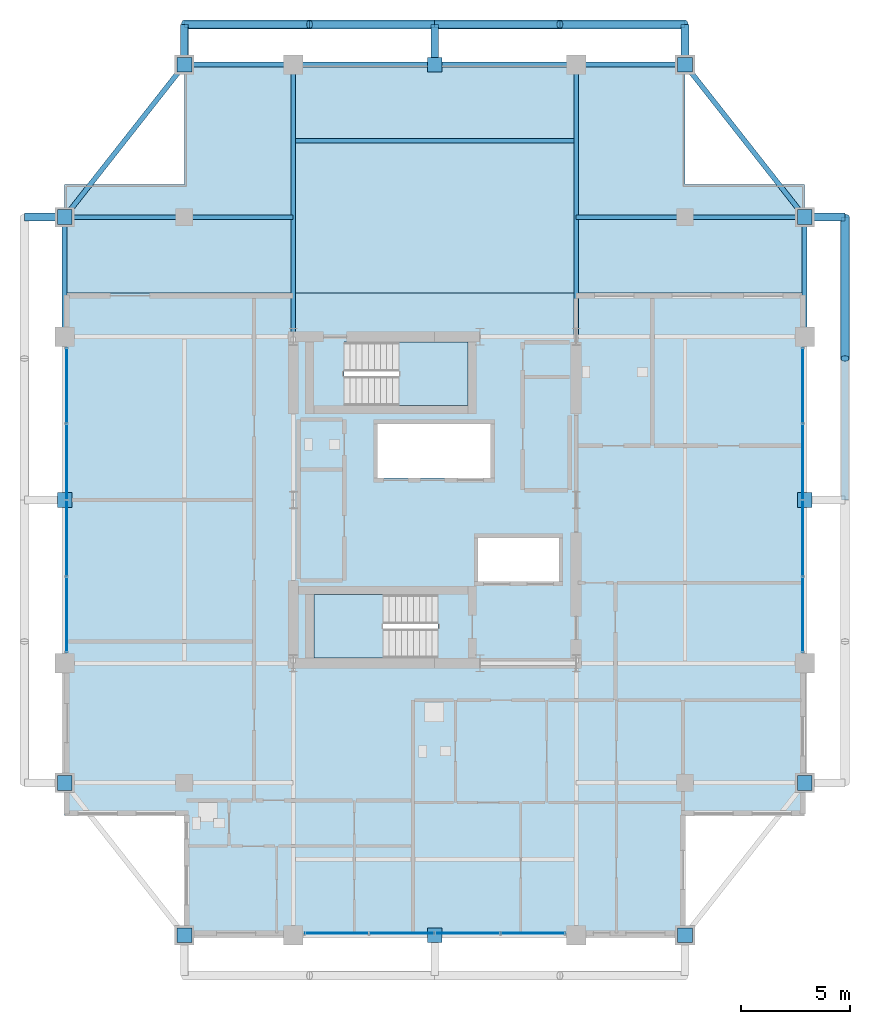
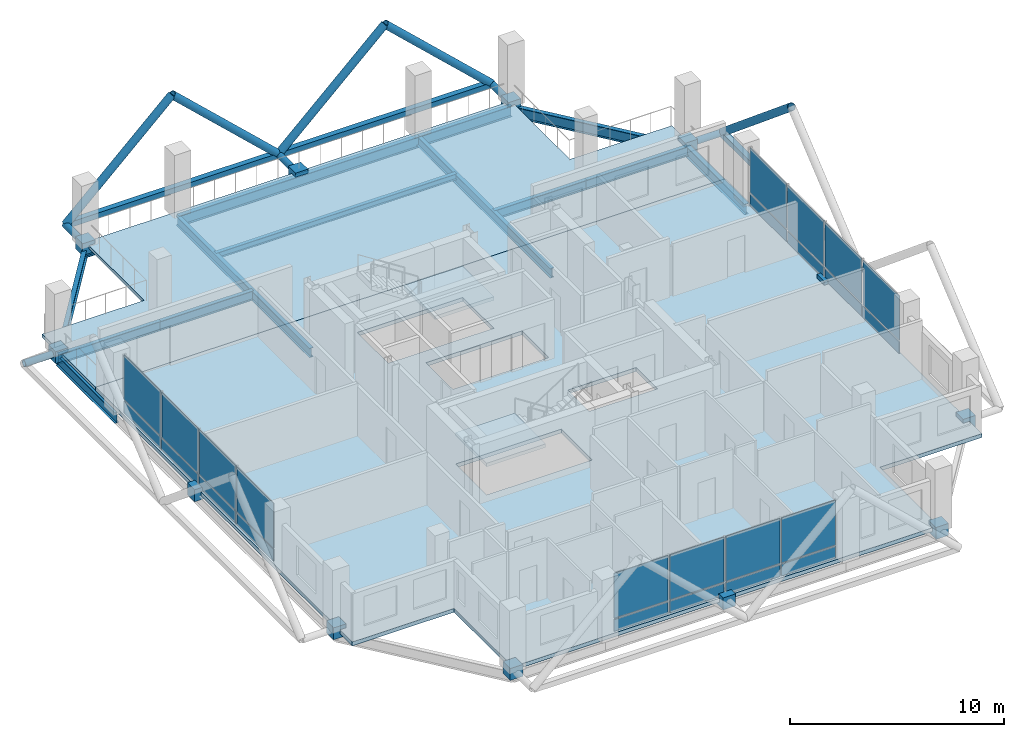
# One storey, part 14 of 21: 36 plates, 14 beams, 13 members, 4 slabs, 5 elements without a shape of their own.
"""IFC4 building model written with IfcOpenShell, lengths in metres."""

from ifc_helpers import new_model, si_unit, direction, frame, origin, origin_2d, place, context, subcontext, project, spatial, polyline, rectangle, hollow_rectangle, hollow_circle, i_section, outline, extrude, material, layer, layer_set, material_profile, profile_set, type_object, element, aggregate, save


model = new_model("IFC4")

# Units and contexts
model_context = context("Model", 3, precision=1e-05, world=origin(), true_north=direction((0.0, 1.0)))
body_context = subcontext(model_context, "Body", "Model", "MODEL_VIEW")
ifc_project = project(units=[si_unit("LENGTHUNIT", "METRE"), si_unit("AREAUNIT", "SQUARE_METRE"), si_unit("VOLUMEUNIT", "CUBIC_METRE"), si_unit("PLANEANGLEUNIT", "RADIAN"), si_unit("MASSUNIT", "GRAM", prefix="KILO")], contexts=[model_context])

# Site, building, storey
site_placement = place(None, origin())
site = spatial("IfcSite", under=ifc_project, at=site_placement, CompositionType="ELEMENT")
building_placement = place(site_placement, origin())
building = spatial("IfcBuilding", under=site, at=building_placement, Name="Barlavira Tower and Art Museum", CompositionType="ELEMENT")
storey_placement = place(building_placement, frame((0.0, 0.0, 261.89990234375)))
storey = spatial("IfcBuildingStorey", under=building, at=storey_placement, Name="L68", CompositionType="ELEMENT", Elevation=261.89990234375)

# Members
ifc_material_1 = material(Name="Steel S355", Category="steel")
ifc_material_profile_1 = material_profile(ifc_material_1, hollow_circle(Radius=0.203125, WallThickness=0.01611328125, at=origin_2d()), Name="CHS 406.4x16.0")
ifc_profile_set_1 = profile_set([ifc_material_profile_1], Name="Steel S355")
member_type_1 = type_object("IfcMemberType", Name="Pale-Metal Exoskeleton Diagrid Tube CHS 406x16 Steel S355", PredefinedType="BRACE", material=ifc_profile_set_1)
for number, where, z_axis, x_axis, name in (
    (1, (-11.5, 21.85009765625, -0.119873046875), (0.728950095515, 0.0, 0.684566839869), (0.0, 1.0, 0.0), "L68 Exoskeleton Diagrid Tube N"),
    (2, (0.0, 21.85009765625, -0.119873046875), (-0.728950095515, 0.0, 0.684566839869), (0.0, -1.0, 0.0), "L68 Exoskeleton Diagrid Tube N"),
    (3, (0.0, 21.85009765625, -0.119873046875), (0.728950095515, 0.0, 0.684566839869), (0.0, 1.0, 0.0), "L68 Exoskeleton Diagrid Tube N"),
    (4, (11.5, 21.85009765625, -0.119873046875), (-0.728950095515, 0.0, 0.684566839869), (0.0, -1.0, 0.0), "L68 Exoskeleton Diagrid Tube N"),
):
    element("IfcMember", number, at=place(storey_placement, frame(where, z_axis=z_axis, x_axis=x_axis)), inside=storey, type_object=member_type_1, Name=name, PredefinedType="BRACE", context=body_context, shape_type="SweptSolid", body=[
        extrude(hollow_circle(Radius=0.203125, WallThickness=0.01611328125, at=origin_2d()), origin(), (0.0, 0.0, 1.0), 7.887939453125),
    ])
member_1_placement = place(storey_placement, frame((18.85009765625, 13.0, -0.119873046875), z_axis=(0.0, -0.769196053329, 0.639012857104), x_axis=(1.0, 0.0, 0.0)))
element("IfcMember", 5, at=member_1_placement, inside=storey, type_object=member_type_1, Name="L68 Exoskeleton Diagrid Tube E", PredefinedType="BRACE", context=body_context, shape_type="SweptSolid", body=[
    extrude(hollow_circle(Radius=0.203125, WallThickness=0.01611328125, at=origin_2d()), origin(), (0.0, 0.0, 1.0), 8.450439453125),
])
ifc_material_profile_2 = material_profile(ifc_material_1, hollow_circle(Radius=0.177734375, WallThickness=0.01611328125, at=origin_2d()), Name="CHS 355.6x16.0")
ifc_profile_set_2 = profile_set([ifc_material_profile_2], Name="Steel S355")
member_type_2 = type_object("IfcMemberType", Name="Pale-Metal Exoskeleton Tie Strut CHS 356x16 Steel S355", PredefinedType="STRUT", material=ifc_profile_set_2)
for number, where, z_axis, x_axis, name in (
    (6, (-11.5, 21.85009765625, -0.119873046875), (0.0, -1.0, 0.0), (1.0, 0.0, 0.0), "L68 Exoskeleton Tie Strut N1"),
    (7, (0.0, 21.85009765625, -0.119873046875), (0.0, -1.0, 0.0), (1.0, 0.0, 0.0), "L68 Exoskeleton Tie Strut N2"),
    (8, (11.5, 21.85009765625, -0.119873046875), (0.0, -1.0, 0.0), (1.0, 0.0, 0.0), "L68 Exoskeleton Tie Strut N3"),
    (9, (-18.85009765625, 13.0, -0.119873046875), (1.0, 0.0, 0.0), (0.0, 1.0, 0.0), "L68 Exoskeleton Tie Strut W3"),
    (10, (18.85009765625, 13.0, -0.119873046875), (-1.0, 0.0, 0.0), (0.0, -1.0, 0.0), "L68 Exoskeleton Tie Strut E3"),
):
    element("IfcMember", number, at=place(storey_placement, frame(where, z_axis=z_axis, x_axis=x_axis)), inside=storey, type_object=member_type_2, Name=name, PredefinedType="STRUT", context=body_context, shape_type="SweptSolid", body=[
        extrude(hollow_circle(Radius=0.177734375, WallThickness=0.01611328125, at=origin_2d()), origin(), (0.0, 0.0, 1.0), 1.85009765625),
    ])
ifc_material_profile_3 = material_profile(ifc_material_1, hollow_rectangle(XDim=0.300048828125, YDim=0.300048828125, WallThickness=0.01611328125, at=origin_2d()), Name="SHS 300x300x16.0")
ifc_profile_set_3 = profile_set([ifc_material_profile_3], Name="Steel S355")
member_type_3 = type_object("IfcMemberType", Name="Pale-Metal Upper Ring Strut SHS 300x300x16 Steel S355", PredefinedType="STRUT", material=ifc_profile_set_3)
for number, where, z_axis, x_axis, name in (
    (11, (-11.5, 21.85009765625, -0.119873046875), (1.0, 0.0, 0.0), (0.0, 1.0, 0.0), "L68 Exoskeleton Ring Strut N"),
    (12, (0.0, 21.85009765625, -0.119873046875), (1.0, 0.0, 0.0), (0.0, 1.0, 0.0), "L68 Exoskeleton Ring Strut N"),
):
    element("IfcMember", number, at=place(storey_placement, frame(where, z_axis=z_axis, x_axis=x_axis)), inside=storey, type_object=member_type_3, Name=name, PredefinedType="STRUT", context=body_context, shape_type="SweptSolid", body=[
        extrude(hollow_rectangle(XDim=0.300048828125, YDim=0.300048828125, WallThickness=0.01611328125, at=origin_2d()), origin(), (0.0, 0.0, 1.0), 11.5),
    ])
member_2_placement = place(storey_placement, frame((18.85009765625, 0.0, -0.119873046875), z_axis=(0.0, 1.0, 0.0), x_axis=(-1.0, 0.0, 0.0)))
element("IfcMember", 13, at=member_2_placement, inside=storey, type_object=member_type_3, Name="L68 Exoskeleton Ring Strut E", PredefinedType="STRUT", context=body_context, shape_type="SweptSolid", body=[
    extrude(hollow_rectangle(XDim=0.300048828125, YDim=0.300048828125, WallThickness=0.01611328125, at=origin_2d()), origin(), (0.0, 0.0, 1.0), 13.0),
])

# Beams
ifc_material_profile_4 = material_profile(ifc_material_1, i_section(OverallWidth=0.22998046875, OverallDepth=0.616943359375, WebThickness=0.01318359375, FlangeThickness=0.022216796875, at=origin_2d()), Name="W610x140.0")
ifc_profile_set_4 = profile_set([ifc_material_profile_4], Name="Steel S355")
beam_type_1 = type_object("IfcBeamType", Name="Upper Shaft Spandrel Edge Beam W610x140 Steel S355", PredefinedType="SPANDREL", material=ifc_profile_set_4)
beam_1_placement = place(storey_placement, frame((17.0, 7.5, -0.5283203125), z_axis=(0.0, 1.0, 0.0), x_axis=(-1.0, 0.0, 0.0)))
element("IfcBeam", 14, at=beam_1_placement, inside=storey, type_object=beam_type_1, Name="L68 Spandrel 7", PredefinedType="SPANDREL", context=body_context, shape_type="SweptSolid", body=[
    extrude(i_section(OverallWidth=0.22998046875, OverallDepth=0.616943359375, WebThickness=0.01318359375, FlangeThickness=0.022216796875, at=origin_2d()), origin(), (0.0, 0.0, 1.0), 5.5),
])
beam_2_placement = place(storey_placement, frame((17.0, 13.0, -0.5283203125), z_axis=(-0.617821551932, 0.786318338822, 0.0), x_axis=(-0.786318338822, -0.617821551932, 0.0)))
element("IfcBeam", 15, at=beam_2_placement, inside=storey, type_object=beam_type_1, Name="L68 Spandrel 8", PredefinedType="SPANDREL", context=body_context, shape_type="SweptSolid", body=[
    extrude(i_section(OverallWidth=0.22998046875, OverallDepth=0.616943359375, WebThickness=0.01318359375, FlangeThickness=0.022216796875, at=origin_2d()), origin(), (0.0, 0.0, 1.0), 8.90234375),
])
beam_3_placement = place(storey_placement, frame((6.5, 20.0, -0.5283203125), z_axis=(1.0, 0.0, 0.0), x_axis=(0.0, 1.0, 0.0)))
element("IfcBeam", 16, at=beam_3_placement, inside=storey, type_object=beam_type_1, Name="L68 Spandrel 9", PredefinedType="SPANDREL", context=body_context, shape_type="SweptSolid", body=[
    extrude(i_section(OverallWidth=0.22998046875, OverallDepth=0.616943359375, WebThickness=0.01318359375, FlangeThickness=0.022216796875, at=origin_2d()), origin(), (0.0, 0.0, 1.0), 5.0),
])
beam_4_placement = place(storey_placement, frame((-6.5, 20.0, -0.5283203125), z_axis=(1.0, 0.0, 0.0), x_axis=(0.0, 1.0, 0.0)))
element("IfcBeam", 17, at=beam_4_placement, inside=storey, type_object=beam_type_1, Name="L68 Spandrel 10", PredefinedType="SPANDREL", context=body_context, shape_type="SweptSolid", body=[
    extrude(i_section(OverallWidth=0.22998046875, OverallDepth=0.616943359375, WebThickness=0.01318359375, FlangeThickness=0.022216796875, at=origin_2d()), origin(), (0.0, 0.0, 1.0), 13.0),
])
beam_5_placement = place(storey_placement, frame((-11.5, 20.0, -0.5283203125), z_axis=(1.0, 0.0, 0.0), x_axis=(0.0, 1.0, 0.0)))
element("IfcBeam", 18, at=beam_5_placement, inside=storey, type_object=beam_type_1, Name="L68 Spandrel 11", PredefinedType="SPANDREL", context=body_context, shape_type="SweptSolid", body=[
    extrude(i_section(OverallWidth=0.22998046875, OverallDepth=0.616943359375, WebThickness=0.01318359375, FlangeThickness=0.022216796875, at=origin_2d()), origin(), (0.0, 0.0, 1.0), 5.0),
])
beam_6_placement = place(storey_placement, frame((-11.5, 20.0, -0.5283203125), z_axis=(-0.617821551932, -0.786318338822, 0.0), x_axis=(0.786318338822, -0.617821551932, 0.0)))
element("IfcBeam", 19, at=beam_6_placement, inside=storey, type_object=beam_type_1, Name="L68 Spandrel 12", PredefinedType="SPANDREL", context=body_context, shape_type="SweptSolid", body=[
    extrude(i_section(OverallWidth=0.22998046875, OverallDepth=0.616943359375, WebThickness=0.01318359375, FlangeThickness=0.022216796875, at=origin_2d()), origin(), (0.0, 0.0, 1.0), 8.90234375),
])
beam_7_placement = place(storey_placement, frame((-17.0, 7.5, -0.5283203125), z_axis=(0.0, 1.0, 0.0), x_axis=(-1.0, 0.0, 0.0)))
element("IfcBeam", 20, at=beam_7_placement, inside=storey, type_object=beam_type_1, Name="L68 Spandrel 13", PredefinedType="SPANDREL", context=body_context, shape_type="SweptSolid", body=[
    extrude(i_section(OverallWidth=0.22998046875, OverallDepth=0.616943359375, WebThickness=0.01318359375, FlangeThickness=0.022216796875, at=origin_2d()), origin(), (0.0, 0.0, 1.0), 5.5),
])
ifc_material_profile_5 = material_profile(ifc_material_1, i_section(OverallWidth=0.2109375, OverallDepth=0.5390625, WebThickness=0.01171875, FlangeThickness=0.018798828125, at=origin_2d()), Name="W530x109.0")
ifc_profile_set_5 = profile_set([ifc_material_profile_5], Name="Steel S355")
beam_type_2 = type_object("IfcBeamType", Name="Zone 3-4 Primary Floor Girder W530x109 Steel S355", PredefinedType="BEAM", material=ifc_profile_set_5)
for number, where, z_axis, x_axis, name in (
    (21, (-6.5, 7.5, -0.489501953125), (0.0, 1.0, 0.0), (-1.0, 0.0, 0.0), "L68 Girder R-N1"),
    (22, (6.5, 7.5, -0.489501953125), (0.0, 1.0, 0.0), (-1.0, 0.0, 0.0), "L68 Girder R-N2"),
):
    element("IfcBeam", number, at=place(storey_placement, frame(where, z_axis=z_axis, x_axis=x_axis)), inside=storey, type_object=beam_type_2, Name=name, PredefinedType="BEAM", context=body_context, shape_type="SweptSolid", body=[
        extrude(i_section(OverallWidth=0.2109375, OverallDepth=0.5390625, WebThickness=0.01171875, FlangeThickness=0.018798828125, at=origin_2d()), origin(), (0.0, 0.0, 1.0), 12.5),
    ])
beam_8_placement = place(storey_placement, frame((-17.0, 13.0, -0.489501953125), z_axis=(1.0, 0.0, 0.0), x_axis=(0.0, 1.0, 0.0)))
element("IfcBeam", 23, at=beam_8_placement, inside=storey, type_object=beam_type_2, Name="L68 Girder I-N1", PredefinedType="BEAM", context=body_context, shape_type="SweptSolid", body=[
    extrude(i_section(OverallWidth=0.2109375, OverallDepth=0.5390625, WebThickness=0.01171875, FlangeThickness=0.018798828125, at=origin_2d()), origin(), (0.0, 0.0, 1.0), 5.5),
])
for number, where, z_axis, x_axis, name in (
    (24, (-11.5, 13.0, -0.489501953125), (1.0, 0.0, 0.0), (0.0, 1.0, 0.0), "L68 Girder I-N2"),
    (25, (6.5, 13.0, -0.489501953125), (1.0, 0.0, 0.0), (0.0, 1.0, 0.0), "L68 Girder I-N3"),
):
    element("IfcBeam", number, at=place(storey_placement, frame(where, z_axis=z_axis, x_axis=x_axis)), inside=storey, type_object=beam_type_2, Name=name, PredefinedType="BEAM", context=body_context, shape_type="SweptSolid", body=[
        extrude(i_section(OverallWidth=0.2109375, OverallDepth=0.5390625, WebThickness=0.01171875, FlangeThickness=0.018798828125, at=origin_2d()), origin(), (0.0, 0.0, 1.0), 5.0),
    ])
beam_9_placement = place(storey_placement, frame((11.5, 13.0, -0.489501953125), z_axis=(1.0, 0.0, 0.0), x_axis=(0.0, 1.0, 0.0)))
element("IfcBeam", 26, at=beam_9_placement, inside=storey, type_object=beam_type_2, Name="L68 Girder I-N4", PredefinedType="BEAM", context=body_context, shape_type="SweptSolid", body=[
    extrude(i_section(OverallWidth=0.2109375, OverallDepth=0.5390625, WebThickness=0.01171875, FlangeThickness=0.018798828125, at=origin_2d()), origin(), (0.0, 0.0, 1.0), 5.5),
])
ifc_material_profile_6 = material_profile(ifc_material_1, i_section(OverallWidth=0.202880859375, OverallDepth=0.346923828125, WebThickness=0.0078125, FlangeThickness=0.013427734375, at=origin_2d()), Name="W360x64.0")
ifc_profile_set_6 = profile_set([ifc_material_profile_6], Name="Steel S355")
beam_type_3 = type_object("IfcBeamType", Name="Zone 4 Composite Floor Joist W360x64 Steel S355", PredefinedType="JOIST", material=ifc_profile_set_6)
beam_10_placement = place(storey_placement, frame((-6.5, 16.5, -0.393310546875), z_axis=(1.0, 0.0, 0.0), x_axis=(0.0, 1.0, 0.0)))
element("IfcBeam", 27, at=beam_10_placement, inside=storey, type_object=beam_type_3, Name="L68 Joist C2", PredefinedType="JOIST", context=body_context, shape_type="SweptSolid", body=[
    extrude(i_section(OverallWidth=0.202880859375, OverallDepth=0.346923828125, WebThickness=0.0078125, FlangeThickness=0.013427734375, at=origin_2d()), origin(), (0.0, 0.0, 1.0), 13.0),
])

# Curtain wall, plates
ifc_material_2 = material(Name="Low-iron coastal laminated glass", Category="glass")
ifc_layer_1 = layer(ifc_material_2, 0.2099609375, Name="Low-iron coastal laminated glass")
ifc_layer_set_1 = layer_set([ifc_layer_1], Name="Low-iron coastal laminated glass")
curtain_wall_type = type_object("IfcCurtainWallType", Name="Pale-Metal Unitised Curtain Wall Zone 4", PredefinedType="NOTDEFINED", material=ifc_layer_set_1)
curtain_wall_1_placement = place(storey_placement, origin())
curtain_wall_1 = element("IfcCurtainWall", 28, at=curtain_wall_1_placement, inside=storey, type_object=curtain_wall_type, Name="L68 Curtain Wall CW4-L68-S-B2", PredefinedType="NOTDEFINED")
ifc_material_3 = material(Name="Pale anodised aluminium", Category="aluminium")
ifc_layer_2 = layer(ifc_material_3, 0.044921875, Name="Pale anodised aluminium")
ifc_layer_set_2 = layer_set([ifc_layer_2], Name="Pale anodised aluminium")
plate_type_1 = type_object("IfcPlateType", Name="Curtain Wall Pale-Metal Spandrel Panel 45", PredefinedType="CURTAIN_PANEL", material=ifc_layer_set_2)
plate_1_placement = place(storey_placement, frame((-4.5224609375, -19.89990234375, 0.0400390625), z_axis=(0.0, 0.0, 1.0), x_axis=(1.0, 0.0, 0.0)))
plate_1 = element("IfcPlate", 29, at=plate_1_placement, type_object=plate_type_1, Name="CW4-L68-S-B2 Spandrel Panel 0", PredefinedType="CURTAIN_PANEL", context=body_context, shape_type="SweptSolid", body=[
    extrude(rectangle(XDim=2.9150390625, YDim=0.044921875, at=origin_2d()), origin(), (0.0, 0.0, 1.0), 0.6640625),
])
plate_2_placement = place(storey_placement, frame((-1.507568359375, -19.89990234375, 0.0400390625), z_axis=(0.0, 0.0, 1.0), x_axis=(1.0, 0.0, 0.0)))
plate_2 = element("IfcPlate", 30, at=plate_2_placement, type_object=plate_type_1, Name="CW4-L68-S-B2 Spandrel Panel 1", PredefinedType="CURTAIN_PANEL", context=body_context, shape_type="SweptSolid", body=[
    extrude(rectangle(XDim=2.9150390625, YDim=0.044921875, at=origin_2d()), origin(), (0.0, 0.0, 1.0), 0.6640625),
])
plate_3_placement = place(storey_placement, frame((1.507568359375, -19.89990234375, 0.0400390625), z_axis=(0.0, 0.0, 1.0), x_axis=(1.0, 0.0, 0.0)))
plate_3 = element("IfcPlate", 31, at=plate_3_placement, type_object=plate_type_1, Name="CW4-L68-S-B2 Spandrel Panel 2", PredefinedType="CURTAIN_PANEL", context=body_context, shape_type="SweptSolid", body=[
    extrude(rectangle(XDim=2.9150390625, YDim=0.044921875, at=origin_2d()), origin(), (0.0, 0.0, 1.0), 0.6640625),
])
plate_4_placement = place(storey_placement, frame((4.5224609375, -19.89990234375, 0.0400390625), z_axis=(0.0, 0.0, 1.0), x_axis=(1.0, 0.0, 0.0)))
plate_4 = element("IfcPlate", 32, at=plate_4_placement, type_object=plate_type_1, Name="CW4-L68-S-B2 Spandrel Panel 3", PredefinedType="CURTAIN_PANEL", context=body_context, shape_type="SweptSolid", body=[
    extrude(rectangle(XDim=2.9150390625, YDim=0.044921875, at=origin_2d()), origin(), (0.0, 0.0, 1.0), 0.6640625),
])

curtain_wall_2_placement = place(storey_placement, origin())
curtain_wall_2 = element("IfcCurtainWall", 33, at=curtain_wall_2_placement, inside=storey, type_object=curtain_wall_type, Name="L68 Curtain Wall CW4-L68-W-B2", PredefinedType="NOTDEFINED")
plate_5_placement = place(storey_placement, frame((-16.89990234375, 5.2724609375, 0.0400390625), z_axis=(0.0, 0.0, 1.0), x_axis=(0.0, -1.0, 0.0)))
plate_5 = element("IfcPlate", 34, at=plate_5_placement, type_object=plate_type_1, Name="CW4-L68-W-B2 Spandrel Panel 0", PredefinedType="CURTAIN_PANEL", context=body_context, shape_type="SweptSolid", body=[
    extrude(rectangle(XDim=3.4150390625, YDim=0.044921875, at=origin_2d()), origin(), (0.0, 0.0, 1.0), 0.6640625),
])
plate_6_placement = place(storey_placement, frame((-16.89990234375, 1.757568359375, 0.0400390625), z_axis=(0.0, 0.0, 1.0), x_axis=(0.0, -1.0, 0.0)))
plate_6 = element("IfcPlate", 35, at=plate_6_placement, type_object=plate_type_1, Name="CW4-L68-W-B2 Spandrel Panel 1", PredefinedType="CURTAIN_PANEL", context=body_context, shape_type="SweptSolid", body=[
    extrude(rectangle(XDim=3.4150390625, YDim=0.044921875, at=origin_2d()), origin(), (0.0, 0.0, 1.0), 0.6640625),
])
plate_7_placement = place(storey_placement, frame((-16.89990234375, -1.757568359375, 0.0400390625), z_axis=(0.0, 0.0, 1.0), x_axis=(0.0, -1.0, 0.0)))
plate_7 = element("IfcPlate", 36, at=plate_7_placement, type_object=plate_type_1, Name="CW4-L68-W-B2 Spandrel Panel 2", PredefinedType="CURTAIN_PANEL", context=body_context, shape_type="SweptSolid", body=[
    extrude(rectangle(XDim=3.4150390625, YDim=0.044921875, at=origin_2d()), origin(), (0.0, 0.0, 1.0), 0.6640625),
])
plate_8_placement = place(storey_placement, frame((-16.89990234375, -5.2724609375, 0.0400390625), z_axis=(0.0, 0.0, 1.0), x_axis=(0.0, -1.0, 0.0)))
plate_8 = element("IfcPlate", 37, at=plate_8_placement, type_object=plate_type_1, Name="CW4-L68-W-B2 Spandrel Panel 3", PredefinedType="CURTAIN_PANEL", context=body_context, shape_type="SweptSolid", body=[
    extrude(rectangle(XDim=3.4150390625, YDim=0.044921875, at=origin_2d()), origin(), (0.0, 0.0, 1.0), 0.6640625),
])

curtain_wall_3_placement = place(storey_placement, origin())
curtain_wall_3 = element("IfcCurtainWall", 38, at=curtain_wall_3_placement, inside=storey, type_object=curtain_wall_type, Name="L68 Curtain Wall CW4-L68-E-B3", PredefinedType="NOTDEFINED")
plate_9_placement = place(storey_placement, frame((16.89990234375, -5.2724609375, 0.0400390625), z_axis=(0.0, 0.0, 1.0), x_axis=(0.0, 1.0, 0.0)))
plate_9 = element("IfcPlate", 39, at=plate_9_placement, type_object=plate_type_1, Name="CW4-L68-E-B3 Spandrel Panel 0", PredefinedType="CURTAIN_PANEL", context=body_context, shape_type="SweptSolid", body=[
    extrude(rectangle(XDim=3.4150390625, YDim=0.044921875, at=origin_2d()), origin(), (0.0, 0.0, 1.0), 0.6640625),
])
plate_10_placement = place(storey_placement, frame((16.89990234375, -1.757568359375, 0.0400390625), z_axis=(0.0, 0.0, 1.0), x_axis=(0.0, 1.0, 0.0)))
plate_10 = element("IfcPlate", 40, at=plate_10_placement, type_object=plate_type_1, Name="CW4-L68-E-B3 Spandrel Panel 1", PredefinedType="CURTAIN_PANEL", context=body_context, shape_type="SweptSolid", body=[
    extrude(rectangle(XDim=3.4150390625, YDim=0.044921875, at=origin_2d()), origin(), (0.0, 0.0, 1.0), 0.6640625),
])
plate_11_placement = place(storey_placement, frame((16.89990234375, 1.757568359375, 0.0400390625), z_axis=(0.0, 0.0, 1.0), x_axis=(0.0, 1.0, 0.0)))
plate_11 = element("IfcPlate", 41, at=plate_11_placement, type_object=plate_type_1, Name="CW4-L68-E-B3 Spandrel Panel 2", PredefinedType="CURTAIN_PANEL", context=body_context, shape_type="SweptSolid", body=[
    extrude(rectangle(XDim=3.4150390625, YDim=0.044921875, at=origin_2d()), origin(), (0.0, 0.0, 1.0), 0.6640625),
])
plate_12_placement = place(storey_placement, frame((16.89990234375, 5.2724609375, 0.0400390625), z_axis=(0.0, 0.0, 1.0), x_axis=(0.0, 1.0, 0.0)))
plate_12 = element("IfcPlate", 42, at=plate_12_placement, type_object=plate_type_1, Name="CW4-L68-E-B3 Spandrel Panel 3", PredefinedType="CURTAIN_PANEL", context=body_context, shape_type="SweptSolid", body=[
    extrude(rectangle(XDim=3.4150390625, YDim=0.044921875, at=origin_2d()), origin(), (0.0, 0.0, 1.0), 0.6640625),
])

# Plate
ifc_layer_3 = layer(ifc_material_2, 0.028076171875, Name="Low-iron coastal laminated glass")
ifc_layer_set_3 = layer_set([ifc_layer_3], Name="Low-iron coastal laminated glass")
plate_type_2 = type_object("IfcPlateType", Name="Curtain Wall Vision Glazing Panel 28", PredefinedType="CURTAIN_PANEL", material=ifc_layer_set_3)
plate_13_placement = place(storey_placement, frame((-4.5224609375, -19.89990234375, 0.7841796875), z_axis=(0.0, 0.0, 1.0), x_axis=(1.0, 0.0, 0.0)))
plate_13 = element("IfcPlate", 43, at=plate_13_placement, type_object=plate_type_2, Name="CW4-L68-S-B2 Vision Glass Panel 0", PredefinedType="CURTAIN_PANEL", context=body_context, shape_type="SweptSolid", body=[
    extrude(rectangle(XDim=2.9150390625, YDim=0.028076171875, at=origin_2d()), origin(), (0.0, 0.0, 1.0), 2.555908203125),
])

plate_14_placement = place(storey_placement, frame((-1.507568359375, -19.89990234375, 0.7841796875), z_axis=(0.0, 0.0, 1.0), x_axis=(1.0, 0.0, 0.0)))
plate_14 = element("IfcPlate", 44, at=plate_14_placement, type_object=plate_type_2, Name="CW4-L68-S-B2 Vision Glass Panel 1", PredefinedType="CURTAIN_PANEL", context=body_context, shape_type="SweptSolid", body=[
    extrude(rectangle(XDim=2.9150390625, YDim=0.028076171875, at=origin_2d()), origin(), (0.0, 0.0, 1.0), 2.555908203125),
])

plate_15_placement = place(storey_placement, frame((1.507568359375, -19.89990234375, 0.7841796875), z_axis=(0.0, 0.0, 1.0), x_axis=(1.0, 0.0, 0.0)))
plate_15 = element("IfcPlate", 45, at=plate_15_placement, type_object=plate_type_2, Name="CW4-L68-S-B2 Vision Glass Panel 2", PredefinedType="CURTAIN_PANEL", context=body_context, shape_type="SweptSolid", body=[
    extrude(rectangle(XDim=2.9150390625, YDim=0.028076171875, at=origin_2d()), origin(), (0.0, 0.0, 1.0), 2.555908203125),
])

plate_16_placement = place(storey_placement, frame((4.5224609375, -19.89990234375, 0.7841796875), z_axis=(0.0, 0.0, 1.0), x_axis=(1.0, 0.0, 0.0)))
plate_16 = element("IfcPlate", 46, at=plate_16_placement, type_object=plate_type_2, Name="CW4-L68-S-B2 Vision Glass Panel 3", PredefinedType="CURTAIN_PANEL", context=body_context, shape_type="SweptSolid", body=[
    extrude(rectangle(XDim=2.9150390625, YDim=0.028076171875, at=origin_2d()), origin(), (0.0, 0.0, 1.0), 2.555908203125),
])

aggregate(curtain_wall_1, [plate_1, plate_13, plate_2, plate_14, plate_3, plate_15, plate_4, plate_16])

plate_17_placement = place(storey_placement, frame((-16.89990234375, 5.2724609375, 0.7841796875), z_axis=(0.0, 0.0, 1.0), x_axis=(0.0, -1.0, 0.0)))
plate_17 = element("IfcPlate", 47, at=plate_17_placement, type_object=plate_type_2, Name="CW4-L68-W-B2 Vision Glass Panel 0", PredefinedType="CURTAIN_PANEL", context=body_context, shape_type="SweptSolid", body=[
    extrude(rectangle(XDim=3.4150390625, YDim=0.028076171875, at=origin_2d()), origin(), (0.0, 0.0, 1.0), 2.555908203125),
])

plate_18_placement = place(storey_placement, frame((-16.89990234375, 1.757568359375, 0.7841796875), z_axis=(0.0, 0.0, 1.0), x_axis=(0.0, -1.0, 0.0)))
plate_18 = element("IfcPlate", 48, at=plate_18_placement, type_object=plate_type_2, Name="CW4-L68-W-B2 Vision Glass Panel 1", PredefinedType="CURTAIN_PANEL", context=body_context, shape_type="SweptSolid", body=[
    extrude(rectangle(XDim=3.4150390625, YDim=0.028076171875, at=origin_2d()), origin(), (0.0, 0.0, 1.0), 2.555908203125),
])

plate_19_placement = place(storey_placement, frame((-16.89990234375, -1.757568359375, 0.7841796875), z_axis=(0.0, 0.0, 1.0), x_axis=(0.0, -1.0, 0.0)))
plate_19 = element("IfcPlate", 49, at=plate_19_placement, type_object=plate_type_2, Name="CW4-L68-W-B2 Vision Glass Panel 2", PredefinedType="CURTAIN_PANEL", context=body_context, shape_type="SweptSolid", body=[
    extrude(rectangle(XDim=3.4150390625, YDim=0.028076171875, at=origin_2d()), origin(), (0.0, 0.0, 1.0), 2.555908203125),
])

plate_20_placement = place(storey_placement, frame((-16.89990234375, -5.2724609375, 0.7841796875), z_axis=(0.0, 0.0, 1.0), x_axis=(0.0, -1.0, 0.0)))
plate_20 = element("IfcPlate", 50, at=plate_20_placement, type_object=plate_type_2, Name="CW4-L68-W-B2 Vision Glass Panel 3", PredefinedType="CURTAIN_PANEL", context=body_context, shape_type="SweptSolid", body=[
    extrude(rectangle(XDim=3.4150390625, YDim=0.028076171875, at=origin_2d()), origin(), (0.0, 0.0, 1.0), 2.555908203125),
])

aggregate(curtain_wall_2, [plate_5, plate_17, plate_6, plate_18, plate_7, plate_19, plate_8, plate_20])

plate_21_placement = place(storey_placement, frame((16.89990234375, -5.2724609375, 0.7841796875), z_axis=(0.0, 0.0, 1.0), x_axis=(0.0, 1.0, 0.0)))
plate_21 = element("IfcPlate", 51, at=plate_21_placement, type_object=plate_type_2, Name="CW4-L68-E-B3 Vision Glass Panel 0", PredefinedType="CURTAIN_PANEL", context=body_context, shape_type="SweptSolid", body=[
    extrude(rectangle(XDim=3.4150390625, YDim=0.028076171875, at=origin_2d()), origin(), (0.0, 0.0, 1.0), 2.555908203125),
])

plate_22_placement = place(storey_placement, frame((16.89990234375, -1.757568359375, 0.7841796875), z_axis=(0.0, 0.0, 1.0), x_axis=(0.0, 1.0, 0.0)))
plate_22 = element("IfcPlate", 52, at=plate_22_placement, type_object=plate_type_2, Name="CW4-L68-E-B3 Vision Glass Panel 1", PredefinedType="CURTAIN_PANEL", context=body_context, shape_type="SweptSolid", body=[
    extrude(rectangle(XDim=3.4150390625, YDim=0.028076171875, at=origin_2d()), origin(), (0.0, 0.0, 1.0), 2.555908203125),
])

plate_23_placement = place(storey_placement, frame((16.89990234375, 1.757568359375, 0.7841796875), z_axis=(0.0, 0.0, 1.0), x_axis=(0.0, 1.0, 0.0)))
plate_23 = element("IfcPlate", 53, at=plate_23_placement, type_object=plate_type_2, Name="CW4-L68-E-B3 Vision Glass Panel 2", PredefinedType="CURTAIN_PANEL", context=body_context, shape_type="SweptSolid", body=[
    extrude(rectangle(XDim=3.4150390625, YDim=0.028076171875, at=origin_2d()), origin(), (0.0, 0.0, 1.0), 2.555908203125),
])

plate_24_placement = place(storey_placement, frame((16.89990234375, 5.2724609375, 0.7841796875), z_axis=(0.0, 0.0, 1.0), x_axis=(0.0, 1.0, 0.0)))
plate_24 = element("IfcPlate", 54, at=plate_24_placement, type_object=plate_type_2, Name="CW4-L68-E-B3 Vision Glass Panel 3", PredefinedType="CURTAIN_PANEL", context=body_context, shape_type="SweptSolid", body=[
    extrude(rectangle(XDim=3.4150390625, YDim=0.028076171875, at=origin_2d()), origin(), (0.0, 0.0, 1.0), 2.555908203125),
])

aggregate(curtain_wall_3, [plate_9, plate_21, plate_10, plate_22, plate_11, plate_23, plate_12, plate_24])

# Plates
ifc_layer_4 = layer(ifc_material_1, 0.679931640625, Name="Steel S355")
ifc_layer_set_4 = layer_set([ifc_layer_4], Name="Steel S355")
plate_type_3 = type_object("IfcPlateType", Name="Exoskeleton Tie-Back Solid Cap Plate Assembly Type 5 Steel S355", PredefinedType="USERDEFINED", material=ifc_layer_set_4)
for number, where, z_axis, x_axis, name in (
    (55, (-11.5, -20.0, -0.4599609375), (0.0, 0.0, 1.0), (1.0, 0.0, 0.0), "Slab Edge Tie Cap Plate S1 ND-L68-0770"),
    (56, (0.0, -20.0, -0.4599609375), (0.0, 0.0, 1.0), (1.0, 0.0, 0.0), "Slab Edge Tie Cap Plate S2 ND-L68-0771"),
    (57, (11.5, -20.0, -0.4599609375), (0.0, 0.0, 1.0), (1.0, 0.0, 0.0), "Slab Edge Tie Cap Plate S3 ND-L68-0772"),
    (58, (-11.5, 20.0, -0.4599609375), (0.0, 0.0, 1.0), (1.0, 0.0, 0.0), "Slab Edge Tie Cap Plate N1 ND-L68-0778"),
    (59, (0.0, 20.0, -0.4599609375), (0.0, 0.0, 1.0), (1.0, 0.0, 0.0), "Slab Edge Tie Cap Plate N2 ND-L68-0779"),
    (60, (11.5, 20.0, -0.4599609375), (0.0, 0.0, 1.0), (1.0, 0.0, 0.0), "Slab Edge Tie Cap Plate N3 ND-L68-0780"),
    (61, (-17.0, -13.0, -0.4599609375), (0.0, 0.0, 1.0), (1.0, 0.0, 0.0), "Slab Edge Tie Cap Plate W1 ND-L68-0786"),
    (62, (-17.0, 0.0, -0.4599609375), (0.0, 0.0, 1.0), (1.0, 0.0, 0.0), "Slab Edge Tie Cap Plate W2 ND-L68-0787"),
    (63, (-17.0, 13.0, -0.4599609375), (0.0, 0.0, 1.0), (1.0, 0.0, 0.0), "Slab Edge Tie Cap Plate W3 ND-L68-0788"),
    (64, (17.0, -13.0, -0.4599609375), (0.0, 0.0, 1.0), (1.0, 0.0, 0.0), "Slab Edge Tie Cap Plate E1 ND-L68-0794"),
    (65, (17.0, 0.0, -0.4599609375), (0.0, 0.0, 1.0), (1.0, 0.0, 0.0), "Slab Edge Tie Cap Plate E2 ND-L68-0795"),
    (66, (17.0, 13.0, -0.4599609375), (0.0, 0.0, 1.0), (1.0, 0.0, 0.0), "Slab Edge Tie Cap Plate E3 ND-L68-0796"),
):
    element("IfcPlate", number, at=place(storey_placement, frame(where, z_axis=z_axis, x_axis=x_axis)), inside=storey, type_object=plate_type_3, Name=name, ObjectType="FLANGE_PLATE", PredefinedType="USERDEFINED", context=body_context, shape_type="SweptSolid", body=[
        extrude(rectangle(XDim=0.679931640625, YDim=0.679931640625, at=origin_2d()), origin(), (0.0, 0.0, 1.0), 0.679931640625),
    ])

# Stair, slab
ifc_material_4 = material(Name="Concrete C45", Category="concrete")
stair_type_1 = type_object("IfcStairType", Name="Tower North Dog-Leg Exit Stair Assembly Concrete C45", PredefinedType="TWO_QUARTER_TURN_STAIR", material=ifc_material_4)
stair_1_placement = place(storey_placement, origin())
stair_1 = element("IfcStair", 67, at=stair_1_placement, inside=storey, type_object=stair_type_1, Name="L68 Tower North Exit Stair ST-T2", PredefinedType="TWO_QUARTER_TURN_STAIR")
ifc_layer_5 = layer(ifc_material_4, 0.199951171875, Name="Concrete C45")
ifc_layer_set_5 = layer_set([ifc_layer_5], Name="Concrete C45")
slab_type_1 = type_object("IfcSlabType", Name="Tower North Dog-Leg Exit Stair Half-Landing Slab 200 Concrete C45", PredefinedType="LANDING", material=ifc_layer_set_5)
slab_1_placement = place(storey_placement, frame((0.0, 0.0, 1.60009765625)))
slab_1 = element("IfcSlab", 68, at=slab_1_placement, type_object=slab_type_1, Name="ST-T2 landing 1", PredefinedType="LANDING", context=body_context, shape_type="SweptSolid", body=[
    extrude(outline(polyline([(-1.64990234375, 4.35009765625), (1.530029296875, 4.35009765625), (1.530029296875, 7.25), (-1.64990234375, 7.25), (-1.64990234375, 4.35009765625)])), origin(), (0.0, 0.0, 1.0), 0.199951171875),
])
aggregate(stair_1, [slab_1])

stair_type_2 = type_object("IfcStairType", Name="Tower South Dog-Leg Exit Stair Assembly Concrete C45", PredefinedType="TWO_QUARTER_TURN_STAIR", material=ifc_material_4)
stair_2_placement = place(storey_placement, origin())
stair_2 = element("IfcStair", 69, at=stair_2_placement, inside=storey, type_object=stair_type_2, Name="L68 Tower South Exit Stair ST-T1", PredefinedType="TWO_QUARTER_TURN_STAIR")
ifc_layer_6 = layer(ifc_material_4, 0.199951171875, Name="Concrete C45")
ifc_layer_set_6 = layer_set([ifc_layer_6], Name="Concrete C45")
slab_type_2 = type_object("IfcSlabType", Name="Tower South Dog-Leg Exit Stair Half-Landing Slab 200 Concrete C45", PredefinedType="LANDING", material=ifc_layer_set_6)
slab_2_placement = place(storey_placement, frame((0.0, 0.0, 1.60009765625)))
slab_2 = element("IfcSlab", 70, at=slab_2_placement, type_object=slab_type_2, Name="ST-T1 landing 1", PredefinedType="LANDING", context=body_context, shape_type="SweptSolid", body=[
    extrude(outline(polyline([(-2.3701171875, -4.35009765625), (-5.550048828125, -4.35009765625), (-5.550048828125, -7.25), (-2.3701171875, -7.25), (-2.3701171875, -4.35009765625)])), origin(), (0.0, 0.0, 1.0), 0.199951171875),
])
aggregate(stair_2, [slab_2])

# Slabs
ifc_material_5 = material(Name="Concrete C50", Category="concrete")
ifc_layer_7 = layer(ifc_material_5, 0.18994140625, Name="Concrete C50")
ifc_layer_set_7 = layer_set([ifc_layer_7], Name="Concrete C50")
slab_type_3 = type_object("IfcSlabType", Name="Wind Portal Open Terrace Deck Slab 190 Concrete C50", PredefinedType="FLOOR", material=ifc_layer_set_7)
slab_3_placement = place(storey_placement, frame((0.0, 0.0, -0.18994140625)))
element("IfcSlab", 71, at=slab_3_placement, inside=storey, type_object=slab_type_3, Name="L68 Open East-West Wind Portal Terrace Deck", PredefinedType="FLOOR", context=body_context, shape_type="SweptSolid", body=[
    extrude(outline(polyline([(-17.0, 9.5), (17.0, 9.5), (17.0, 14.5), (11.5, 14.5), (11.5, 20.0), (-11.5, 20.0), (-11.5, 14.5), (-17.0, 14.5), (-17.0, 9.5)])), origin(), (0.0, 0.0, 1.0), 0.18994140625),
])
ifc_layer_8 = layer(ifc_material_5, 0.18994140625, Name="Concrete C50")
ifc_layer_set_8 = layer_set([ifc_layer_8], Name="Concrete C50")
slab_type_4 = type_object("IfcSlabType", Name="Zone 4 Residential Composite Slab 190 Concrete C50", PredefinedType="FLOOR", material=ifc_layer_set_8)
slab_4_placement = place(storey_placement, frame((0.0, 0.0, -0.219970703125)))
element("IfcSlab", 72, at=slab_4_placement, inside=storey, type_object=slab_type_4, Name="L68 Wind-Portal Residence Floor Slab", PredefinedType="FLOOR", context=body_context, shape_type="SweptSolid", body=[
    extrude(outline(polyline([(-11.5, -20.0), (11.5, -20.0), (11.5, -14.5), (17.0, -14.5), (17.0, 9.5), (-17.0, 9.5), (-17.0, -14.5), (-11.5, -14.5), (-11.5, -20.0)]), holes=[polyline([(0.14990234375, -4.35009765625), (-5.550048828125, -4.35009765625), (-5.550048828125, -7.25), (0.14990234375, -7.25), (0.14990234375, -4.35009765625)]), polyline([(-4.169921875, 4.35009765625), (1.530029296875, 4.35009765625), (1.530029296875, 7.25), (-4.169921875, 7.25), (-4.169921875, 4.35009765625)]), polyline([(-2.6201171875, 1.0), (2.56005859375, 1.0), (2.56005859375, 3.5), (-2.6201171875, 3.5), (-2.6201171875, 1.0)]), polyline([(2.0, -3.75), (5.699951171875, -3.75), (5.699951171875, -1.75), (2.0, -1.75), (2.0, -3.75)])]), origin(), (0.0, 0.0, 1.0), 0.219970703125),
])

save(model, "model.ifc")
